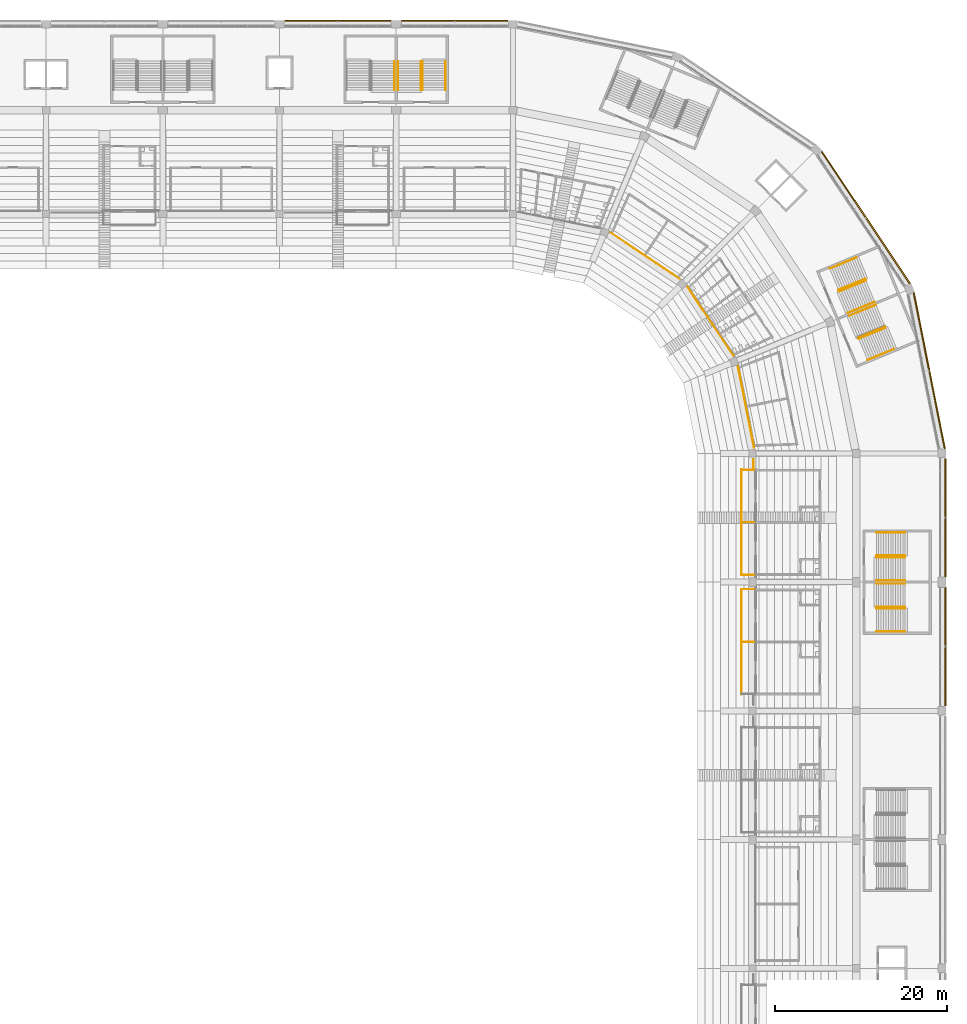
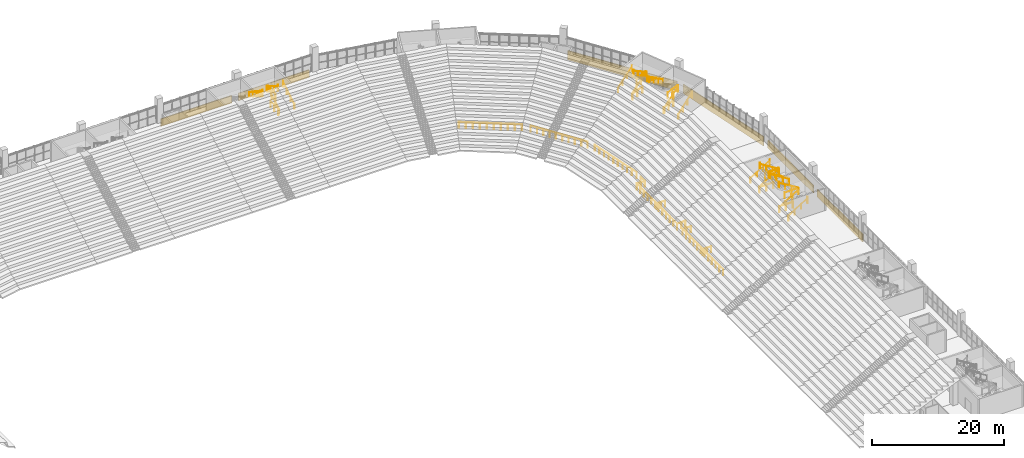
# One storey, part 241 of 249: 41 railings, 6 coverings.
"""IFC4 building model written with IfcOpenShell, lengths in metres."""

from ifc_helpers import new_model, si_unit, direction, frame, origin, origin_2d, place, context, subcontext, project, spatial, polyline, circle, outline, extrude, material, layer, layer_set, type_object, element, save


model = new_model("IFC4")

# Units and contexts
model_context = context("Model", 3, precision=1e-05, world=origin(), true_north=direction((0.0, 1.0)))
body_context = subcontext(model_context, "Body", "Model", "MODEL_VIEW")
ifc_project = project(units=[si_unit("LENGTHUNIT", "METRE"), si_unit("AREAUNIT", "SQUARE_METRE"), si_unit("VOLUMEUNIT", "CUBIC_METRE"), si_unit("PLANEANGLEUNIT", "RADIAN"), si_unit("MASSUNIT", "GRAM", prefix="KILO")], contexts=[model_context])

# Site, building, storey
site_placement = place(None, origin())
site = spatial("IfcSite", under=ifc_project, at=site_placement, CompositionType="ELEMENT")
building_placement = place(site_placement, origin())
building = spatial("IfcBuilding", under=site, at=building_placement, Name="Ogive Plaza Stadium", CompositionType="ELEMENT")
storey_placement = place(building_placement, frame((0.0, 0.0, 13.5)))
storey = spatial("IfcBuildingStorey", under=building, at=storey_placement, Name="L03", CompositionType="ELEMENT", Elevation=13.5)

# Railings
ifc_material_1 = material(Name="Steel ASTM A572 Grade 50", Category="steel")
railing_type_1 = type_object("IfcRailingType", Name="Guard 1100", PredefinedType="GUARDRAIL", material=ifc_material_1)
for number, where, name in (
    (1, (76.35009765625, 34.52490234375, 0.0), "Stair well guard ST02A L03"),
    (2, (77.31005859375, 34.52490234375, 2.25), "Stair well guard ST02A L03"),
    (3, (76.35009765625, 40.47509765625, 0.0), "Stair well guard ST02B L03"),
    (4, (77.31005859375, 40.47509765625, 2.25), "Stair well guard ST02B L03"),
):
    element("IfcRailing", number, at=place(storey_placement, frame(where)), inside=storey, type_object=railing_type_1, Name=name, PredefinedType="GUARDRAIL", context=body_context, shape_type="SweptSolid", body=[
        extrude(circle(Radius=0.02392578125, at=origin_2d()), frame((0.0, 0.0, 1.076171875), z_axis=(1.0, 0.0, 0.0), x_axis=(0.0, 1.0, 0.0)), (0.0, 0.0, 1.0), 2.39990234375),
        extrude(circle(Radius=0.02099609375, at=origin_2d()), origin(), (0.0, 0.0, 1.0), 1.052001953125),
        extrude(circle(Radius=0.02099609375, at=origin_2d()), frame((1.199951171875, 0.0, 0.0)), (0.0, 0.0, 1.0), 1.052001953125),
        extrude(circle(Radius=0.02099609375, at=origin_2d()), frame((2.39990234375, 0.0, 0.0)), (0.0, 0.0, 1.0), 1.052001953125),
    ])
for number, where, name in (
    (5, (23.375, 94.85009765625, 0.0), "Stair well guard ST36A L03"),
    (6, (23.375, 95.81005859375, 2.25), "Stair well guard ST36A L03"),
):
    element("IfcRailing", number, at=place(storey_placement, frame(where)), inside=storey, type_object=railing_type_1, Name=name, PredefinedType="GUARDRAIL", context=body_context, shape_type="SweptSolid", body=[
        extrude(circle(Radius=0.02392578125, at=origin_2d()), frame((0.0, 0.0, 1.076171875), z_axis=(0.0, 1.0, 0.0), x_axis=(-1.0, 0.0, 0.0)), (0.0, 0.0, 1.0), 2.39990234375),
        extrude(circle(Radius=0.02099609375, at=origin_2d()), origin(), (0.0, 0.0, 1.0), 1.052001953125),
        extrude(circle(Radius=0.02099609375, at=origin_2d()), frame((0.0, 1.199951171875, 0.0)), (0.0, 0.0, 1.0), 1.052001953125),
        extrude(circle(Radius=0.02099609375, at=origin_2d()), frame((0.0, 2.39990234375, 0.0)), (0.0, 0.0, 1.0), 1.052001953125),
    ])
for number, where, name in (
    (7, (74.264892578125, 65.9580078125, 0.0), "Stair well guard ST40A L03"),
    (8, (75.151611328125, 66.325439453125, 2.25), "Stair well guard ST40A L03"),
    (9, (71.98779296875, 71.455078125, 0.0), "Stair well guard ST40B L03"),
    (10, (72.874755859375, 71.822509765625, 2.25), "Stair well guard ST40B L03"),
):
    element("IfcRailing", number, at=place(storey_placement, frame(where)), inside=storey, type_object=railing_type_1, Name=name, PredefinedType="GUARDRAIL", context=body_context, shape_type="SweptSolid", body=[
        extrude(circle(Radius=0.02392578125, at=origin_2d()), frame((0.0, 0.0, 1.076171875), z_axis=(0.923875488976, 0.382693194178, 0.0), x_axis=(-0.382693194178, 0.923875488976, 0.0)), (0.0, 0.0, 1.0), 2.39990234375),
        extrude(circle(Radius=0.02099609375, at=origin_2d()), origin(), (0.0, 0.0, 1.0), 1.052001953125),
        extrude(circle(Radius=0.02099609375, at=origin_2d()), frame((1.108642578125, 0.459228515625, 0.0)), (0.0, 0.0, 1.0), 1.052001953125),
        extrude(circle(Radius=0.02099609375, at=origin_2d()), frame((2.21728515625, 0.91845703125, 0.0)), (0.0, 0.0, 1.0), 1.052001953125),
    ])
railing_1_placement = place(storey_placement, frame((45.392822265625, 78.210693359375, 0.0)))
element("IfcRailing", 11, at=railing_1_placement, inside=storey, type_object=railing_type_1, Name="Guard L03 B38", PredefinedType="GUARDRAIL", context=body_context, shape_type="SweptSolid", body=[
    extrude(circle(Radius=0.02392578125, at=origin_2d()), frame((0.0, 0.0, 1.076171875), z_axis=(0.831476062087, -0.555560580114, 0.0), x_axis=(0.555560580114, 0.831476062087, 0.0)), (0.0, 0.0, 1.0), 9.62255859375),
    extrude(circle(Radius=0.02099609375, at=origin_2d()), origin(), (0.0, 0.0, 1.0), 1.052001953125),
    extrude(circle(Radius=0.02099609375, at=origin_2d()), frame((0.888916015625, -0.593994140625, 0.0)), (0.0, 0.0, 1.0), 1.052001953125),
    extrude(circle(Radius=0.02099609375, at=origin_2d()), frame((1.778076171875, -1.18798828125, 0.0)), (0.0, 0.0, 1.0), 1.052001953125),
    extrude(circle(Radius=0.02099609375, at=origin_2d()), frame((2.6669921875, -1.781982421875, 0.0)), (0.0, 0.0, 1.0), 1.052001953125),
    extrude(circle(Radius=0.02099609375, at=origin_2d()), frame((3.555908203125, -2.3759765625, 0.0)), (0.0, 0.0, 1.0), 1.052001953125),
    extrude(circle(Radius=0.02099609375, at=origin_2d()), frame((4.445068359375, -2.969970703125, 0.0)), (0.0, 0.0, 1.0), 1.052001953125),
    extrude(circle(Radius=0.02099609375, at=origin_2d()), frame((5.333984375, -3.56396484375, 0.0)), (0.0, 0.0, 1.0), 1.052001953125),
    extrude(circle(Radius=0.02099609375, at=origin_2d()), frame((6.222900390625, -4.157958984375, 0.0)), (0.0, 0.0, 1.0), 1.052001953125),
    extrude(circle(Radius=0.02099609375, at=origin_2d()), frame((7.112060546875, -4.751953125, 0.0)), (0.0, 0.0, 1.0), 1.052001953125),
    extrude(circle(Radius=0.02099609375, at=origin_2d()), frame((8.0009765625, -5.345947265625, 0.0)), (0.0, 0.0, 1.0), 1.052001953125),
])
railing_2_placement = place(storey_placement, frame((54.36474609375, 71.893798828125, 0.0)))
element("IfcRailing", 12, at=railing_2_placement, inside=storey, type_object=railing_type_1, Name="Guard L03 B39", PredefinedType="GUARDRAIL", context=body_context, shape_type="SweptSolid", body=[
    extrude(circle(Radius=0.02392578125, at=origin_2d()), frame((0.0, 0.0, 1.076171875), z_axis=(0.555560580114, -0.831476062087, 0.0), x_axis=(0.831476062087, 0.555560580114, 0.0)), (0.0, 0.0, 1.0), 9.62255859375),
    extrude(circle(Radius=0.02099609375, at=origin_2d()), origin(), (0.0, 0.0, 1.0), 1.052001953125),
    extrude(circle(Radius=0.02099609375, at=origin_2d()), frame((0.593994140625, -0.888916015625, 0.0)), (0.0, 0.0, 1.0), 1.052001953125),
    extrude(circle(Radius=0.02099609375, at=origin_2d()), frame((1.18798828125, -1.778076171875, 0.0)), (0.0, 0.0, 1.0), 1.052001953125),
    extrude(circle(Radius=0.02099609375, at=origin_2d()), frame((1.781982421875, -2.6669921875, 0.0)), (0.0, 0.0, 1.0), 1.052001953125),
    extrude(circle(Radius=0.02099609375, at=origin_2d()), frame((2.3759765625, -3.555908203125, 0.0)), (0.0, 0.0, 1.0), 1.052001953125),
    extrude(circle(Radius=0.02099609375, at=origin_2d()), frame((2.969970703125, -4.445068359375, 0.0)), (0.0, 0.0, 1.0), 1.052001953125),
    extrude(circle(Radius=0.02099609375, at=origin_2d()), frame((3.56396484375, -5.333984375, 0.0)), (0.0, 0.0, 1.0), 1.052001953125),
    extrude(circle(Radius=0.02099609375, at=origin_2d()), frame((4.157958984375, -6.222900390625, 0.0)), (0.0, 0.0, 1.0), 1.052001953125),
    extrude(circle(Radius=0.02099609375, at=origin_2d()), frame((4.751953125, -7.112060546875, 0.0)), (0.0, 0.0, 1.0), 1.052001953125),
    extrude(circle(Radius=0.02099609375, at=origin_2d()), frame((5.345947265625, -8.0009765625, 0.0)), (0.0, 0.0, 1.0), 1.052001953125),
])
railing_3_placement = place(storey_placement, frame((60.236083984375, 62.624267578125, 0.0)))
element("IfcRailing", 13, at=railing_3_placement, inside=storey, type_object=railing_type_1, Name="Guard L03 B40", PredefinedType="GUARDRAIL", context=body_context, shape_type="SweptSolid", body=[
    extrude(circle(Radius=0.02392578125, at=origin_2d()), frame((0.0, 0.0, 1.076171875), z_axis=(0.195106054289, -0.980782150928, 0.0), x_axis=(0.980782150928, 0.195106054289, 0.0)), (0.0, 0.0, 1.0), 9.62255859375),
    extrude(circle(Radius=0.02099609375, at=origin_2d()), origin(), (0.0, 0.0, 1.0), 1.052001953125),
    extrude(circle(Radius=0.02099609375, at=origin_2d()), frame((0.20849609375, -1.048583984375, 0.0)), (0.0, 0.0, 1.0), 1.052001953125),
    extrude(circle(Radius=0.02099609375, at=origin_2d()), frame((0.417236328125, -2.09716796875, 0.0)), (0.0, 0.0, 1.0), 1.052001953125),
    extrude(circle(Radius=0.02099609375, at=origin_2d()), frame((0.625732421875, -3.14599609375, 0.0)), (0.0, 0.0, 1.0), 1.052001953125),
    extrude(circle(Radius=0.02099609375, at=origin_2d()), frame((0.83447265625, -4.194580078125, 0.0)), (0.0, 0.0, 1.0), 1.052001953125),
    extrude(circle(Radius=0.02099609375, at=origin_2d()), frame((1.04296875, -5.2431640625, 0.0)), (0.0, 0.0, 1.0), 1.052001953125),
    extrude(circle(Radius=0.02099609375, at=origin_2d()), frame((1.251708984375, -6.291748046875, 0.0)), (0.0, 0.0, 1.0), 1.052001953125),
    extrude(circle(Radius=0.02099609375, at=origin_2d()), frame((1.460205078125, -7.340576171875, 0.0)), (0.0, 0.0, 1.0), 1.052001953125),
    extrude(circle(Radius=0.02099609375, at=origin_2d()), frame((1.6689453125, -8.38916015625, 0.0)), (0.0, 0.0, 1.0), 1.052001953125),
    extrude(circle(Radius=0.02099609375, at=origin_2d()), frame((1.87744140625, -9.437744140625, 0.0)), (0.0, 0.0, 1.0), 1.052001953125),
])
railing_4_placement = place(storey_placement, frame((60.64990234375, 38.324951171875, 0.0)))
element("IfcRailing", 14, at=railing_4_placement, inside=storey, type_object=railing_type_1, Name="Terrace guard B01", PredefinedType="GUARDRAIL", context=body_context, shape_type="SweptSolid", body=[
    extrude(circle(Radius=0.02392578125, at=origin_2d()), frame((0.0, 0.0, 1.076171875), z_axis=(0.0, 1.0, 0.0), x_axis=(-1.0, 0.0, 0.0)), (0.0, 0.0, 1.0), 12.300048828125),
    extrude(circle(Radius=0.02099609375, at=origin_2d()), origin(), (0.0, 0.0, 1.0), 1.052001953125),
    extrude(circle(Radius=0.02099609375, at=origin_2d()), frame((0.0, 1.1181640625, 0.0)), (0.0, 0.0, 1.0), 1.052001953125),
    extrude(circle(Radius=0.02099609375, at=origin_2d()), frame((0.0, 2.236328125, 0.0)), (0.0, 0.0, 1.0), 1.052001953125),
    extrude(circle(Radius=0.02099609375, at=origin_2d()), frame((0.0, 3.3544921875, 0.0)), (0.0, 0.0, 1.0), 1.052001953125),
    extrude(circle(Radius=0.02099609375, at=origin_2d()), frame((0.0, 4.47265625, 0.0)), (0.0, 0.0, 1.0), 1.052001953125),
    extrude(circle(Radius=0.02099609375, at=origin_2d()), frame((0.0, 5.5908203125, 0.0)), (0.0, 0.0, 1.0), 1.052001953125),
    extrude(circle(Radius=0.02099609375, at=origin_2d()), frame((0.0, 6.709228515625, 0.0)), (0.0, 0.0, 1.0), 1.052001953125),
    extrude(circle(Radius=0.02099609375, at=origin_2d()), frame((0.0, 7.827392578125, 0.0)), (0.0, 0.0, 1.0), 1.052001953125),
    extrude(circle(Radius=0.02099609375, at=origin_2d()), frame((0.0, 8.945556640625, 0.0)), (0.0, 0.0, 1.0), 1.052001953125),
    extrude(circle(Radius=0.02099609375, at=origin_2d()), frame((0.0, 10.063720703125, 0.0)), (0.0, 0.0, 1.0), 1.052001953125),
    extrude(circle(Radius=0.02099609375, at=origin_2d()), frame((0.0, 11.181884765625, 0.0)), (0.0, 0.0, 1.0), 1.052001953125),
    extrude(circle(Radius=0.02099609375, at=origin_2d()), frame((0.0, 12.300048828125, 0.0)), (0.0, 0.0, 1.0), 1.052001953125),
])
railing_5_placement = place(storey_placement, frame((62.050048828125, 50.625, 0.0)))
element("IfcRailing", 15, at=railing_5_placement, inside=storey, type_object=railing_type_1, Name="Floor edge guard B01", PredefinedType="GUARDRAIL", context=body_context, shape_type="SweptSolid", body=[
    extrude(circle(Radius=0.02392578125, at=origin_2d()), frame((0.0, 0.0, 1.076171875), z_axis=(0.0, 1.0, 0.0), x_axis=(-1.0, 0.0, 0.0)), (0.0, 0.0, 1.0), 1.175048828125),
    extrude(circle(Radius=0.02099609375, at=origin_2d()), origin(), (0.0, 0.0, 1.0), 1.052001953125),
    extrude(circle(Radius=0.02099609375, at=origin_2d()), frame((0.0, 1.175048828125, 0.0)), (0.0, 0.0, 1.0), 1.052001953125),
])
for number, where, name in (
    (16, (60.64990234375, 38.324951171875, 0.0), "Terrace screen B01"),
    (17, (60.64990234375, 44.47509765625, 0.0), "Terrace screen B01"),
    (18, (60.64990234375, 50.550048828125, 0.0), "Terrace screen B01"),
):
    element("IfcRailing", number, at=place(storey_placement, frame(where)), inside=storey, type_object=railing_type_1, Name=name, PredefinedType="GUARDRAIL", context=body_context, shape_type="SweptSolid", body=[
        extrude(circle(Radius=0.02392578125, at=origin_2d()), frame((0.0, 0.0, 1.076171875), z_axis=(1.0, 0.0, 0.0), x_axis=(0.0, 1.0, 0.0)), (0.0, 0.0, 1.0), 1.4501953125),
        extrude(circle(Radius=0.02099609375, at=origin_2d()), origin(), (0.0, 0.0, 1.0), 1.052001953125),
        extrude(circle(Radius=0.02099609375, at=origin_2d()), frame((0.72509765625, 0.0, 0.0)), (0.0, 0.0, 1.0), 1.052001953125),
        extrude(circle(Radius=0.02099609375, at=origin_2d()), frame((1.4501953125, 0.0, 0.0)), (0.0, 0.0, 1.0), 1.052001953125),
    ])
railing_6_placement = place(storey_placement, frame((60.64990234375, 36.675048828125, 0.0)))
element("IfcRailing", 19, at=railing_6_placement, inside=storey, type_object=railing_type_1, Name="Terrace guard B02", PredefinedType="GUARDRAIL", context=body_context, shape_type="SweptSolid", body=[
    extrude(circle(Radius=0.02392578125, at=origin_2d()), frame((0.0, 0.0, 1.076171875), z_axis=(0.0, -1.0, 0.0), x_axis=(1.0, 0.0, 0.0)), (0.0, 0.0, 1.0), 12.300048828125),
    extrude(circle(Radius=0.02099609375, at=origin_2d()), origin(), (0.0, 0.0, 1.0), 1.052001953125),
    extrude(circle(Radius=0.02099609375, at=origin_2d()), frame((0.0, -1.1181640625, 0.0)), (0.0, 0.0, 1.0), 1.052001953125),
    extrude(circle(Radius=0.02099609375, at=origin_2d()), frame((0.0, -2.236328125, 0.0)), (0.0, 0.0, 1.0), 1.052001953125),
    extrude(circle(Radius=0.02099609375, at=origin_2d()), frame((0.0, -3.3544921875, 0.0)), (0.0, 0.0, 1.0), 1.052001953125),
    extrude(circle(Radius=0.02099609375, at=origin_2d()), frame((0.0, -4.47265625, 0.0)), (0.0, 0.0, 1.0), 1.052001953125),
    extrude(circle(Radius=0.02099609375, at=origin_2d()), frame((0.0, -5.5908203125, 0.0)), (0.0, 0.0, 1.0), 1.052001953125),
    extrude(circle(Radius=0.02099609375, at=origin_2d()), frame((0.0, -6.709228515625, 0.0)), (0.0, 0.0, 1.0), 1.052001953125),
    extrude(circle(Radius=0.02099609375, at=origin_2d()), frame((0.0, -7.827392578125, 0.0)), (0.0, 0.0, 1.0), 1.052001953125),
    extrude(circle(Radius=0.02099609375, at=origin_2d()), frame((0.0, -8.945556640625, 0.0)), (0.0, 0.0, 1.0), 1.052001953125),
    extrude(circle(Radius=0.02099609375, at=origin_2d()), frame((0.0, -10.063720703125, 0.0)), (0.0, 0.0, 1.0), 1.052001953125),
    extrude(circle(Radius=0.02099609375, at=origin_2d()), frame((0.0, -11.181884765625, 0.0)), (0.0, 0.0, 1.0), 1.052001953125),
    extrude(circle(Radius=0.02099609375, at=origin_2d()), frame((0.0, -12.300048828125, 0.0)), (0.0, 0.0, 1.0), 1.052001953125),
])
for number, where, name in (
    (20, (60.64990234375, 36.675048828125, 0.0), "Terrace screen B02"),
    (21, (60.64990234375, 30.52490234375, 0.0), "Terrace screen B02"),
):
    element("IfcRailing", number, at=place(storey_placement, frame(where)), inside=storey, type_object=railing_type_1, Name=name, PredefinedType="GUARDRAIL", context=body_context, shape_type="SweptSolid", body=[
        extrude(circle(Radius=0.02392578125, at=origin_2d()), frame((0.0, 0.0, 1.076171875), z_axis=(1.0, 0.0, 0.0), x_axis=(0.0, 1.0, 0.0)), (0.0, 0.0, 1.0), 1.4501953125),
        extrude(circle(Radius=0.02099609375, at=origin_2d()), origin(), (0.0, 0.0, 1.0), 1.052001953125),
        extrude(circle(Radius=0.02099609375, at=origin_2d()), frame((0.72509765625, 0.0, 0.0)), (0.0, 0.0, 1.0), 1.052001953125),
        extrude(circle(Radius=0.02099609375, at=origin_2d()), frame((1.4501953125, 0.0, 0.0)), (0.0, 0.0, 1.0), 1.052001953125),
    ])
ifc_material_2 = material(Name="Steel ASTM A572 Grade 50", Category="steel")
railing_type_2 = type_object("IfcRailingType", Name="Handrail 900", PredefinedType="HANDRAIL", material=ifc_material_2)
for number, where, name in (
    (22, (76.35009765625, 31.735107421875, 0.173095703125), "Handrail ST02A L03"),
    (23, (76.35009765625, 34.4150390625, 0.173095703125), "Handrail ST02A L03"),
):
    element("IfcRailing", number, at=place(storey_placement, frame(where)), inside=storey, type_object=railing_type_2, Name=name, PredefinedType="HANDRAIL", context=body_context, shape_type="SweptSolid", body=[
        extrude(circle(Radius=0.02392578125, at=origin_2d()), frame((0.0, 0.0, 0.8759765625), z_axis=(0.850606129759, 0.0, 0.525803396734), x_axis=(0.0, 1.0, 0.0)), (0.0, 0.0, 1.0), 3.949951171875),
        extrude(circle(Radius=0.02099609375, at=origin_2d()), origin(), (0.0, 0.0, 1.0), 0.851806640625),
        extrude(circle(Radius=0.02099609375, at=origin_2d()), frame((1.119873046875, 0.0, 0.6923828125)), (0.0, 0.0, 1.0), 0.851806640625),
        extrude(circle(Radius=0.02099609375, at=origin_2d()), frame((2.239990234375, 0.0, 1.384521484375)), (0.0, 0.0, 1.0), 0.851806640625),
        extrude(circle(Radius=0.02099609375, at=origin_2d()), frame((3.35986328125, 0.0, 2.076904296875)), (0.0, 0.0, 1.0), 1.10009765625),
    ])
for number, where, name in (
    (24, (79.7099609375, 34.635009765625, 2.423095703125), "Handrail ST02A L03"),
    (25, (79.7099609375, 37.31494140625, 2.423095703125), "Handrail ST02A L03"),
):
    element("IfcRailing", number, at=place(storey_placement, frame(where)), inside=storey, type_object=railing_type_2, Name=name, PredefinedType="HANDRAIL", context=body_context, shape_type="SweptSolid", body=[
        extrude(circle(Radius=0.02392578125, at=origin_2d()), frame((0.0, 0.0, 0.8759765625), z_axis=(-0.850606129759, 0.0, 0.525803396734), x_axis=(0.0, -1.0, 0.0)), (0.0, 0.0, 1.0), 3.949951171875),
        extrude(circle(Radius=0.02099609375, at=origin_2d()), origin(), (0.0, 0.0, 1.0), 0.851806640625),
        extrude(circle(Radius=0.02099609375, at=origin_2d()), frame((-1.119873046875, 0.0, 0.6923828125)), (0.0, 0.0, 1.0), 0.851806640625),
        extrude(circle(Radius=0.02099609375, at=origin_2d()), frame((-2.239990234375, 0.0, 1.384521484375)), (0.0, 0.0, 1.0), 0.851806640625),
        extrude(circle(Radius=0.02099609375, at=origin_2d()), frame((-3.35986328125, 0.0, 2.076904296875)), (0.0, 0.0, 1.0), 1.10009765625),
    ])
for number, where, name in (
    (26, (76.35009765625, 40.5849609375, 0.173095703125), "Handrail ST02B L03"),
    (27, (76.35009765625, 43.264892578125, 0.173095703125), "Handrail ST02B L03"),
):
    element("IfcRailing", number, at=place(storey_placement, frame(where)), inside=storey, type_object=railing_type_2, Name=name, PredefinedType="HANDRAIL", context=body_context, shape_type="SweptSolid", body=[
        extrude(circle(Radius=0.02392578125, at=origin_2d()), frame((0.0, 0.0, 0.8759765625), z_axis=(0.850606129759, 0.0, 0.525803396734), x_axis=(0.0, 1.0, 0.0)), (0.0, 0.0, 1.0), 3.949951171875),
        extrude(circle(Radius=0.02099609375, at=origin_2d()), origin(), (0.0, 0.0, 1.0), 0.851806640625),
        extrude(circle(Radius=0.02099609375, at=origin_2d()), frame((1.119873046875, 0.0, 0.6923828125)), (0.0, 0.0, 1.0), 0.851806640625),
        extrude(circle(Radius=0.02099609375, at=origin_2d()), frame((2.239990234375, 0.0, 1.384521484375)), (0.0, 0.0, 1.0), 0.851806640625),
        extrude(circle(Radius=0.02099609375, at=origin_2d()), frame((3.35986328125, 0.0, 2.076904296875)), (0.0, 0.0, 1.0), 1.10009765625),
    ])
for number, where, name in (
    (28, (79.7099609375, 37.68505859375, 2.423095703125), "Handrail ST02B L03"),
    (29, (79.7099609375, 40.364990234375, 2.423095703125), "Handrail ST02B L03"),
):
    element("IfcRailing", number, at=place(storey_placement, frame(where)), inside=storey, type_object=railing_type_2, Name=name, PredefinedType="HANDRAIL", context=body_context, shape_type="SweptSolid", body=[
        extrude(circle(Radius=0.02392578125, at=origin_2d()), frame((0.0, 0.0, 0.8759765625), z_axis=(-0.850606129759, 0.0, 0.525803396734), x_axis=(0.0, -1.0, 0.0)), (0.0, 0.0, 1.0), 3.949951171875),
        extrude(circle(Radius=0.02099609375, at=origin_2d()), origin(), (0.0, 0.0, 1.0), 0.851806640625),
        extrude(circle(Radius=0.02099609375, at=origin_2d()), frame((-1.119873046875, 0.0, 0.6923828125)), (0.0, 0.0, 1.0), 0.851806640625),
        extrude(circle(Radius=0.02099609375, at=origin_2d()), frame((-2.239990234375, 0.0, 1.384521484375)), (0.0, 0.0, 1.0), 0.851806640625),
        extrude(circle(Radius=0.02099609375, at=origin_2d()), frame((-3.35986328125, 0.0, 2.076904296875)), (0.0, 0.0, 1.0), 1.10009765625),
    ])
for number, where, name in (
    (30, (26.1650390625, 94.85009765625, 0.173095703125), "Handrail ST36A L03"),
    (31, (23.485107421875, 94.85009765625, 0.173095703125), "Handrail ST36A L03"),
):
    element("IfcRailing", number, at=place(storey_placement, frame(where)), inside=storey, type_object=railing_type_2, Name=name, PredefinedType="HANDRAIL", context=body_context, shape_type="SweptSolid", body=[
        extrude(circle(Radius=0.02392578125, at=origin_2d()), frame((0.0, 0.0, 0.8759765625), z_axis=(0.0, 0.850606129759, 0.525803396734), x_axis=(-1.0, 0.0, 0.0)), (0.0, 0.0, 1.0), 3.949951171875),
        extrude(circle(Radius=0.02099609375, at=origin_2d()), origin(), (0.0, 0.0, 1.0), 0.851806640625),
        extrude(circle(Radius=0.02099609375, at=origin_2d()), frame((0.0, 1.119873046875, 0.6923828125)), (0.0, 0.0, 1.0), 0.851806640625),
        extrude(circle(Radius=0.02099609375, at=origin_2d()), frame((0.0, 2.239990234375, 1.384521484375)), (0.0, 0.0, 1.0), 0.851806640625),
        extrude(circle(Radius=0.02099609375, at=origin_2d()), frame((0.0, 3.35986328125, 2.076904296875)), (0.0, 0.0, 1.0), 1.10009765625),
    ])
for number, where, name in (
    (32, (23.264892578125, 98.2099609375, 2.423095703125), "Handrail ST36A L03"),
    (33, (20.5849609375, 98.2099609375, 2.423095703125), "Handrail ST36A L03"),
    (34, (20.215087890625, 98.2099609375, 2.423095703125), "Handrail ST36B L03"),
):
    element("IfcRailing", number, at=place(storey_placement, frame(where)), inside=storey, type_object=railing_type_2, Name=name, PredefinedType="HANDRAIL", context=body_context, shape_type="SweptSolid", body=[
        extrude(circle(Radius=0.02392578125, at=origin_2d()), frame((0.0, 0.0, 0.8759765625), z_axis=(0.0, -0.850606129759, 0.525803396734), x_axis=(1.0, 0.0, 0.0)), (0.0, 0.0, 1.0), 3.949951171875),
        extrude(circle(Radius=0.02099609375, at=origin_2d()), origin(), (0.0, 0.0, 1.0), 0.851806640625),
        extrude(circle(Radius=0.02099609375, at=origin_2d()), frame((0.0, -1.119873046875, 0.6923828125)), (0.0, 0.0, 1.0), 0.851806640625),
        extrude(circle(Radius=0.02099609375, at=origin_2d()), frame((0.0, -2.239990234375, 1.384521484375)), (0.0, 0.0, 1.0), 0.851806640625),
        extrude(circle(Radius=0.02099609375, at=origin_2d()), frame((0.0, -3.35986328125, 2.076904296875)), (0.0, 0.0, 1.0), 1.10009765625),
    ])
for number, where, name in (
    (35, (75.33251953125, 63.38037109375, 0.173095703125), "Handrail ST40A L03"),
    (36, (74.306884765625, 65.8564453125, 0.173095703125), "Handrail ST40A L03"),
):
    element("IfcRailing", number, at=place(storey_placement, frame(where)), inside=storey, type_object=railing_type_2, Name=name, PredefinedType="HANDRAIL", context=body_context, shape_type="SweptSolid", body=[
        extrude(circle(Radius=0.02392578125, at=origin_2d()), frame((0.0, 0.0, 0.8759765625), z_axis=(0.785862990074, 0.32553207776, 0.525783441334), x_axis=(-0.382700459954, 0.923872479269, 0.0)), (0.0, 0.0, 1.0), 3.9501953125),
        extrude(circle(Radius=0.02099609375, at=origin_2d()), origin(), (0.0, 0.0, 1.0), 0.851806640625),
        extrude(circle(Radius=0.02099609375, at=origin_2d()), frame((1.03466796875, 0.4287109375, 0.6923828125)), (0.0, 0.0, 1.0), 0.851806640625),
        extrude(circle(Radius=0.02099609375, at=origin_2d()), frame((2.069580078125, 0.857177734375, 1.384521484375)), (0.0, 0.0, 1.0), 0.851806640625),
        extrude(circle(Radius=0.02099609375, at=origin_2d()), frame((3.104248046875, 1.285888671875, 2.076904296875)), (0.0, 0.0, 1.0), 1.10009765625),
    ])
railing_7_placement = place(storey_placement, frame((76.30126953125, 69.821533203125, 2.423095703125)))
element("IfcRailing", 37, at=railing_7_placement, inside=storey, type_object=railing_type_2, Name="Handrail ST40A L03", PredefinedType="HANDRAIL", context=body_context, shape_type="SweptSolid", body=[
    extrude(circle(Radius=0.02392578125, at=origin_2d()), frame((0.0, 0.0, 0.8759765625), z_axis=(-0.785862990074, -0.32553207776, 0.525783441334), x_axis=(0.382700459954, -0.923872479269, 0.0)), (0.0, 0.0, 1.0), 3.9501953125),
    extrude(circle(Radius=0.02099609375, at=origin_2d()), origin(), (0.0, 0.0, 1.0), 0.851806640625),
    extrude(circle(Radius=0.02099609375, at=origin_2d()), frame((-1.03466796875, -0.4287109375, 0.6923828125)), (0.0, 0.0, 1.0), 0.851806640625),
    extrude(circle(Radius=0.02099609375, at=origin_2d()), frame((-2.069580078125, -0.857177734375, 1.384521484375)), (0.0, 0.0, 1.0), 0.851806640625),
    extrude(circle(Radius=0.02099609375, at=origin_2d()), frame((-3.104248046875, -1.285888671875, 2.076904296875)), (0.0, 0.0, 1.0), 1.10009765625),
])
railing_8_placement = place(storey_placement, frame((71.94580078125, 71.556884765625, 0.173095703125)))
element("IfcRailing", 38, at=railing_8_placement, inside=storey, type_object=railing_type_2, Name="Handrail ST40B L03", PredefinedType="HANDRAIL", context=body_context, shape_type="SweptSolid", body=[
    extrude(circle(Radius=0.02392578125, at=origin_2d()), frame((0.0, 0.0, 0.8759765625), z_axis=(0.785878800478, 0.325476819766, 0.525794019321), x_axis=(-0.382638439086, 0.923898168054, 0.0)), (0.0, 0.0, 1.0), 3.949951171875),
    extrude(circle(Radius=0.02099609375, at=origin_2d()), origin(), (0.0, 0.0, 1.0), 0.851806640625),
    extrude(circle(Radius=0.02099609375, at=origin_2d()), frame((1.03466796875, 0.428466796875, 0.6923828125)), (0.0, 0.0, 1.0), 0.851806640625),
    extrude(circle(Radius=0.02099609375, at=origin_2d()), frame((2.069580078125, 0.857177734375, 1.384521484375)), (0.0, 0.0, 1.0), 0.851806640625),
    extrude(circle(Radius=0.02099609375, at=origin_2d()), frame((3.104248046875, 1.28564453125, 2.076904296875)), (0.0, 0.0, 1.0), 1.10009765625),
])
railing_9_placement = place(storey_placement, frame((70.920166015625, 74.03271484375, 0.173095703125)))
element("IfcRailing", 39, at=railing_9_placement, inside=storey, type_object=railing_type_2, Name="Handrail ST40B L03", PredefinedType="HANDRAIL", context=body_context, shape_type="SweptSolid", body=[
    extrude(circle(Radius=0.02392578125, at=origin_2d()), frame((0.0, 0.0, 0.8759765625), z_axis=(0.785862990074, 0.32553207776, 0.525783441334), x_axis=(-0.382700459954, 0.923872479269, 0.0)), (0.0, 0.0, 1.0), 3.9501953125),
    extrude(circle(Radius=0.02099609375, at=origin_2d()), origin(), (0.0, 0.0, 1.0), 0.851806640625),
    extrude(circle(Radius=0.02099609375, at=origin_2d()), frame((1.03466796875, 0.4287109375, 0.6923828125)), (0.0, 0.0, 1.0), 0.851806640625),
    extrude(circle(Radius=0.02099609375, at=origin_2d()), frame((2.069580078125, 0.857177734375, 1.384521484375)), (0.0, 0.0, 1.0), 0.851806640625),
    extrude(circle(Radius=0.02099609375, at=origin_2d()), frame((3.104248046875, 1.285888671875, 2.076904296875)), (0.0, 0.0, 1.0), 1.10009765625),
])
railing_10_placement = place(storey_placement, frame((76.15966796875, 70.163330078125, 2.423095703125)))
element("IfcRailing", 40, at=railing_10_placement, inside=storey, type_object=railing_type_2, Name="Handrail ST40B L03", PredefinedType="HANDRAIL", context=body_context, shape_type="SweptSolid", body=[
    extrude(circle(Radius=0.02392578125, at=origin_2d()), frame((0.0, 0.0, 0.8759765625), z_axis=(-0.785862990074, -0.32553207776, 0.525783441334), x_axis=(0.382700459954, -0.923872479269, 0.0)), (0.0, 0.0, 1.0), 3.9501953125),
    extrude(circle(Radius=0.02099609375, at=origin_2d()), origin(), (0.0, 0.0, 1.0), 0.851806640625),
    extrude(circle(Radius=0.02099609375, at=origin_2d()), frame((-1.03466796875, -0.4287109375, 0.6923828125)), (0.0, 0.0, 1.0), 0.851806640625),
    extrude(circle(Radius=0.02099609375, at=origin_2d()), frame((-2.069580078125, -0.857177734375, 1.384521484375)), (0.0, 0.0, 1.0), 0.851806640625),
    extrude(circle(Radius=0.02099609375, at=origin_2d()), frame((-3.104248046875, -1.285888671875, 2.076904296875)), (0.0, 0.0, 1.0), 1.10009765625),
])
railing_11_placement = place(storey_placement, frame((75.134033203125, 72.639404296875, 2.423095703125)))
element("IfcRailing", 41, at=railing_11_placement, inside=storey, type_object=railing_type_2, Name="Handrail ST40B L03", PredefinedType="HANDRAIL", context=body_context, shape_type="SweptSolid", body=[
    extrude(circle(Radius=0.02392578125, at=origin_2d()), frame((0.0, 0.0, 0.8759765625), z_axis=(-0.78583935255, -0.325547889718, 0.525808980033), x_axis=(0.382726151683, -0.923861836433, 0.0)), (0.0, 0.0, 1.0), 3.949951171875),
    extrude(circle(Radius=0.02099609375, at=origin_2d()), origin(), (0.0, 0.0, 1.0), 0.851806640625),
    extrude(circle(Radius=0.02099609375, at=origin_2d()), frame((-1.03466796875, -0.4287109375, 0.6923828125)), (0.0, 0.0, 1.0), 0.851806640625),
    extrude(circle(Radius=0.02099609375, at=origin_2d()), frame((-2.0693359375, -0.857177734375, 1.384521484375)), (0.0, 0.0, 1.0), 0.851806640625),
    extrude(circle(Radius=0.02099609375, at=origin_2d()), frame((-3.10400390625, -1.285888671875, 2.076904296875)), (0.0, 0.0, 1.0), 1.10009765625),
])

# Coverings
ifc_material_3 = material(Name="Cast stone (reconstituted limestone)", Category="masonry")
ifc_layer = layer(ifc_material_3, 0.159912109375)
ifc_layer_set = layer_set([ifc_layer], Name="Precast spandrel cladding 160")
covering_type = type_object("IfcCoveringType", Name="Precast spandrel cladding 160", PredefinedType="CLADDING", material=ifc_layer_set)
covering_1_placement = place(storey_placement, frame((0.0, 0.0, -1.409912109375)))
element("IfcCovering", 42, at=covering_1_placement, inside=storey, type_object=covering_type, Name="SPANDREL CLADDING B01 L03", PredefinedType="CLADDING", context=body_context, shape_type="SweptSolid", body=[
    extrude(outline(polyline([(84.35009765625, 51.89990234375), (84.35009765625, 38.10009765625), (84.510009765625, 38.10009765625), (84.510009765625, 51.89990234375), (84.35009765625, 51.89990234375)])), origin(), (0.0, 0.0, 1.0), 1.409912109375),
])
covering_2_placement = place(storey_placement, frame((0.0, 0.0, -1.409912109375)))
element("IfcCovering", 43, at=covering_2_placement, inside=storey, type_object=covering_type, Name="SPANDREL CLADDING B02 L03", PredefinedType="CLADDING", context=body_context, shape_type="SweptSolid", body=[
    extrude(outline(polyline([(84.35009765625, 36.89990234375), (84.35009765625, 23.10009765625), (84.510009765625, 23.10009765625), (84.510009765625, 36.89990234375), (84.35009765625, 36.89990234375)])), origin(), (0.0, 0.0, 1.0), 1.409912109375),
])
covering_3_placement = place(storey_placement, frame((0.0, 0.0, -1.409912109375)))
element("IfcCovering", 44, at=covering_3_placement, inside=storey, type_object=covering_type, Name="SPANDREL CLADDING B35 L03", PredefinedType="CLADDING", context=body_context, shape_type="SweptSolid", body=[
    extrude(outline(polyline([(7.39990234375, 102.85009765625), (19.800048828125, 102.85009765625), (19.800048828125, 103.010009765625), (7.39990234375, 103.010009765625), (7.39990234375, 102.85009765625)])), origin(), (0.0, 0.0, 1.0), 1.409912109375),
])
covering_4_placement = place(storey_placement, frame((0.0, 0.0, -1.409912109375)))
element("IfcCovering", 45, at=covering_4_placement, inside=storey, type_object=covering_type, Name="SPANDREL CLADDING B36 L03", PredefinedType="CLADDING", context=body_context, shape_type="SweptSolid", body=[
    extrude(outline(polyline([(21.0, 102.85009765625), (33.39990234375, 102.85009765625), (33.39990234375, 103.010009765625), (21.0, 103.010009765625), (21.0, 102.85009765625)])), origin(), (0.0, 0.0, 1.0), 1.409912109375),
])
covering_5_placement = place(storey_placement, frame((0.0, 0.0, -1.7099609375)))
element("IfcCovering", 46, at=covering_5_placement, inside=storey, type_object=covering_type, Name="SPANDREL CLADDING B39 L03", PredefinedType="CLADDING", context=body_context, shape_type="SweptSolid", body=[
    extrude(outline(polyline([(69.919189453125, 87.641357421875), (80.212158203125, 72.237060546875), (80.34521484375, 72.325927734375), (70.05224609375, 87.730224609375), (69.919189453125, 87.641357421875)])), origin(), (0.0, 0.0, 1.0), 1.7099609375),
])
covering_6_placement = place(storey_placement, frame((0.0, 0.0, -1.7099609375)))
element("IfcCovering", 47, at=covering_6_placement, inside=storey, type_object=covering_type, Name="SPANDREL CLADDING B40 L03", PredefinedType="CLADDING", context=body_context, shape_type="SweptSolid", body=[
    extrude(outline(polyline([(80.633056640625, 71.220703125), (84.24755859375, 53.050048828125), (84.404296875, 53.081298828125), (80.7900390625, 71.251953125), (80.633056640625, 71.220703125)])), origin(), (0.0, 0.0, 1.0), 1.7099609375),
])

save(model, "model.ifc")
